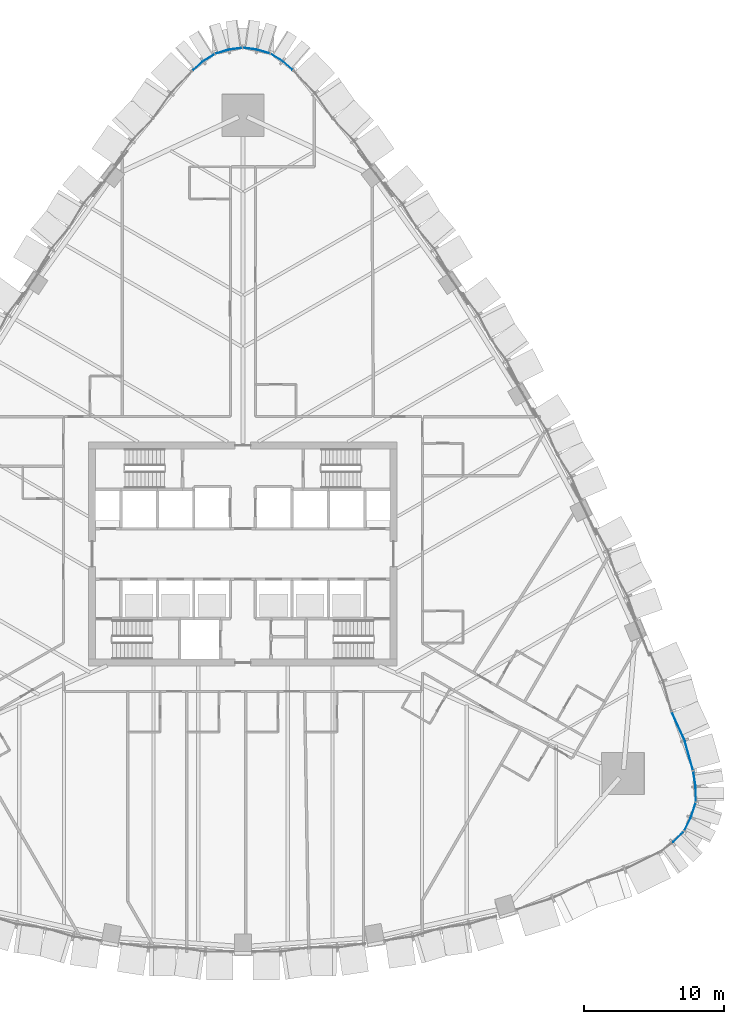
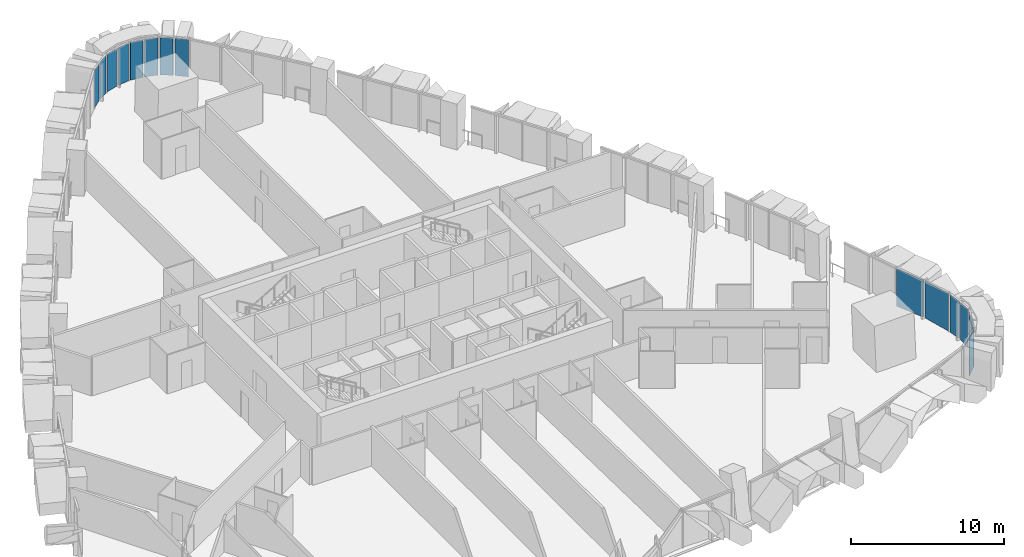
# One storey, part 13 of 23: 15 plates, 8 elements without a shape of their own.
"""IFC4 building model written with IfcOpenShell, lengths in metres."""

from ifc_helpers import new_model, si_unit, direction, frame, origin, place, context, subcontext, project, spatial, polyline, outline, extrude, material, layer, layer_set, type_object, element, aggregate, save


model = new_model("IFC4")

# Units and contexts
model_context = context("Model", 3, precision=1e-05, world=origin(), true_north=direction((0.0, 1.0)))
body_context = subcontext(model_context, "Body", "Model", "MODEL_VIEW")
ifc_project = project(units=[si_unit("LENGTHUNIT", "METRE"), si_unit("AREAUNIT", "SQUARE_METRE"), si_unit("VOLUMEUNIT", "CUBIC_METRE"), si_unit("PLANEANGLEUNIT", "RADIAN"), si_unit("MASSUNIT", "GRAM", prefix="KILO")], contexts=[model_context])

# Site, building, storey
site_placement = place(None, origin())
site = spatial("IfcSite", under=ifc_project, at=site_placement, CompositionType="ELEMENT")
building_placement = place(site_placement, origin())
building = spatial("IfcBuilding", under=site, at=building_placement, Name="Sierra Prisma Convention Tower", CompositionType="ELEMENT")
storey_placement = place(building_placement, frame((0.0, 0.0, 51.699951171875)))
storey = spatial("IfcBuildingStorey", under=building, at=storey_placement, Name="L08", CompositionType="ELEMENT", Elevation=51.699951171875)

# Curtain wall, plate
ifc_material_1 = material(Name="Aluminium and glass curtain wall", Category="aluminium")
ifc_layer_1 = layer(ifc_material_1, 0.179931640625)
ifc_layer_set_1 = layer_set([ifc_layer_1], Name="CW-2 Faceted crystal curtain wall")
curtain_wall_type = type_object("IfcCurtainWallType", Name="CW-2 Faceted crystal curtain wall", PredefinedType="NOTDEFINED", material=ifc_layer_set_1)
curtain_wall_1_placement = place(storey_placement, origin())
curtain_wall_1 = element("IfcCurtainWall", 1, at=curtain_wall_1_placement, inside=storey, type_object=curtain_wall_type, Name="CW-2 SE1 L08", PredefinedType="NOTDEFINED")
ifc_material_2 = material(Name="Tinted glass bronze-grey IGU", Category="glass")
ifc_layer_2 = layer(ifc_material_2, 0.028076171875)
ifc_layer_set_2 = layer_set([ifc_layer_2], Name="CW-2 crystal pane")
plate_type = type_object("IfcPlateType", Name="CW-2 crystal pane", PredefinedType="CURTAIN_PANEL", material=ifc_layer_set_2)
plate_1_placement = place(storey_placement, frame((31.40478515625, -19.843505859375, 0.0), z_axis=(0.707845273304, -0.706367516992, 0.0), x_axis=(-0.706367516992, -0.707845273304, 0.0)))
plate_1 = element("IfcPlate", 2, at=plate_1_placement, type_object=plate_type, Name="CW-2 pane SE1.1.2", PredefinedType="CURTAIN_PANEL", context=body_context, shape_type="SweptSolid", body=[
    extrude(outline(polyline([(0.0, 0.0), (0.9912620493672433, 0.0), (0.9912620493672433, -2.97998046875), (0.0, -2.97998046875), (0.0, 0.0)])), origin(), (0.0, 0.0, -1.0), 0.028076171875),
])
aggregate(curtain_wall_1, [plate_1])

# Curtain wall, plates
curtain_wall_2_placement = place(storey_placement, origin())
curtain_wall_2 = element("IfcCurtainWall", 3, at=curtain_wall_2_placement, inside=storey, type_object=curtain_wall_type, Name="CW-2 SE2 L08", PredefinedType="NOTDEFINED")
plate_2_placement = place(storey_placement, frame((31.484619140625, -19.733154296875, 0.0), z_axis=(0.891651472711, -0.452722488078, 0.0), x_axis=(0.452722488078, 0.891651472711, 0.0)))
plate_2 = element("IfcPlate", 4, at=plate_2_placement, type_object=plate_type, Name="CW-2 pane SE2.1.1", PredefinedType="CURTAIN_PANEL", context=body_context, shape_type="SweptSolid", body=[
    extrude(outline(polyline([(0.0, 0.0), (0.9911821934332878, 0.0), (0.9911821934332878, 2.97998046875), (0.0, 2.97998046875), (0.0, 0.0)])), origin(), (0.0, 0.0, -1.0), 0.028076171875),
])
plate_3_placement = place(storey_placement, frame((32.287841796875, -17.786376953125, 0.0), z_axis=(0.951525092145, -0.307571128388, 0.0), x_axis=(-0.307571128388, -0.951525092145, 0.0)))
plate_3 = element("IfcPlate", 5, at=plate_3_placement, type_object=plate_type, Name="CW-2 pane SE2.1.2", PredefinedType="CURTAIN_PANEL", context=body_context, shape_type="SweptSolid", body=[
    extrude(outline(polyline([(0.0, 0.0), (0.9914182850112484, 0.0), (0.9914182850112484, -2.97998046875), (0.0, -2.97998046875), (0.0, 0.0)])), origin(), (0.0, 0.0, -1.0), 0.028076171875),
])
aggregate(curtain_wall_2, [plate_2, plate_3])

curtain_wall_3_placement = place(storey_placement, origin())
curtain_wall_3 = element("IfcCurtainWall", 6, at=curtain_wall_3_placement, inside=storey, type_object=curtain_wall_type, Name="CW-2 SE3 L08", PredefinedType="NOTDEFINED")
plate_4_placement = place(storey_placement, frame((32.30908203125, -17.652099609375, 0.0), z_axis=(0.999998514409, 0.00172371081, 0.0), x_axis=(-0.00172371081, 0.999998514409, 0.0)))
plate_4 = element("IfcPlate", 7, at=plate_4_placement, type_object=plate_type, Name="CW-2 pane SE3.1.1", PredefinedType="CURTAIN_PANEL", context=body_context, shape_type="SweptSolid", body=[
    extrude(outline(polyline([(0.0, 0.0), (0.991456551023515, 0.0), (0.991456551023515, 2.97998046875), (0.0, 2.97998046875), (0.0, 0.0)])), origin(), (0.0, 0.0, -1.0), 0.028076171875),
])
plate_5_placement = place(storey_placement, frame((32.140380859375, -15.552734375, 0.0), z_axis=(0.98745753367, 0.157884828906, 0.0), x_axis=(0.157884828906, -0.98745753367, 0.0)))
plate_5 = element("IfcPlate", 8, at=plate_5_placement, type_object=plate_type, Name="CW-2 pane SE3.1.2", PredefinedType="CURTAIN_PANEL", context=body_context, shape_type="SweptSolid", body=[
    extrude(outline(polyline([(0.0, 0.0), (0.9911917548367027, 0.0), (0.9911917548367027, -2.97998046875), (0.0, -2.97998046875), (0.0, 0.0)])), origin(), (0.0, 0.0, -1.0), 0.028076171875),
])
aggregate(curtain_wall_3, [plate_4, plate_5])

curtain_wall_4_placement = place(storey_placement, origin())
curtain_wall_4 = element("IfcCurtainWall", 9, at=curtain_wall_4_placement, inside=storey, type_object=curtain_wall_type, Name="CW-2 NE1 L08", PredefinedType="NOTDEFINED")
plate_6_placement = place(storey_placement, frame((32.110595703125, -15.417236328125, 0.0), z_axis=(0.963438269611, 0.267930402623, 0.0), x_axis=(-0.267930402623, 0.963438269611, 0.0)))
plate_6 = element("IfcPlate", 10, at=plate_6_placement, type_object=plate_type, Name="CW-2 pane NE1.1.1", PredefinedType="CURTAIN_PANEL", context=body_context, shape_type="SweptSolid", body=[
    extrude(outline(polyline([(0.0, 0.0), (2.1531871382518215, 0.0), (2.1531871382518215, 2.97998046875), (0.0, 2.97998046875), (0.0, 0.0)])), origin(), (0.0, 0.0, -1.0), 0.028076171875),
])
plate_7_placement = place(storey_placement, frame((30.59521484375, -11.26220703125, 0.0), z_axis=(0.909674035522, 0.415322945546, 0.0), x_axis=(0.415322945546, -0.909674035522, 0.0)))
plate_7 = element("IfcPlate", 11, at=plate_7_placement, type_object=plate_type, Name="CW-2 pane NE1.1.2", PredefinedType="CURTAIN_PANEL", context=body_context, shape_type="SweptSolid", body=[
    extrude(outline(polyline([(0.0, 0.0), (2.153233089972779, 0.0), (2.153233089972779, -2.97998046875), (0.0, -2.97998046875), (0.0, 0.0)])), origin(), (0.0, 0.0, -1.0), 0.028076171875),
])
aggregate(curtain_wall_4, [plate_6, plate_7])

curtain_wall_5_placement = place(storey_placement, origin())
curtain_wall_5 = element("IfcCurtainWall", 12, at=curtain_wall_5_placement, inside=storey, type_object=curtain_wall_type, Name="CW-2 N1 L08", PredefinedType="NOTDEFINED")
plate_8_placement = place(storey_placement, frame((3.553955078125, 34.541015625, 0.0), z_axis=(0.656226719983, 0.754563775953, 0.0), x_axis=(-0.754563775953, 0.656226719983, 0.0)))
plate_8 = element("IfcPlate", 13, at=plate_8_placement, type_object=plate_type, Name="CW-2 pane N1.1.1", PredefinedType="CURTAIN_PANEL", context=body_context, shape_type="SweptSolid", body=[
    extrude(outline(polyline([(0.0, 0.0), (0.8813556702479313, 0.0), (0.8813556702479313, 2.9799804687500004), (0.0, 2.9799804687500004), (0.0, 0.0)])), origin(), (0.0, 0.0, -1.0), 0.028076171875),
])
plate_9_placement = place(storey_placement, frame((2.03759765625, 35.66357421875, 0.0), z_axis=(0.530173219372, 0.847889354492, 0.0), x_axis=(0.847889354492, -0.530173219372, 0.0)))
plate_9 = element("IfcPlate", 14, at=plate_9_placement, type_object=plate_type, Name="CW-2 pane N1.1.2", PredefinedType="CURTAIN_PANEL", context=body_context, shape_type="SweptSolid", body=[
    extrude(outline(polyline([(0.0, 0.0), (0.8813820449164511, 0.0), (0.8813820449164511, -2.97998046875), (0.0, -2.97998046875), (0.0, 0.0)])), origin(), (0.0, 0.0, -1.0), 0.028076171875),
])
aggregate(curtain_wall_5, [plate_8, plate_9])

curtain_wall_6_placement = place(storey_placement, origin())
curtain_wall_6 = element("IfcCurtainWall", 15, at=curtain_wall_6_placement, inside=storey, type_object=curtain_wall_type, Name="CW-2 N2 L08", PredefinedType="NOTDEFINED")
plate_10_placement = place(storey_placement, frame((1.912841796875, 35.719970703125, 0.0), z_axis=(0.286737827926, 0.95800909079, 0.0), x_axis=(-0.95800909079, 0.286737827926, 0.0)))
plate_10 = element("IfcPlate", 16, at=plate_10_placement, type_object=plate_type, Name="CW-2 pane N2.1.1", PredefinedType="CURTAIN_PANEL", context=body_context, shape_type="SweptSolid", body=[
    extrude(outline(polyline([(0.0, 0.0), (0.8812424530896545, 0.0), (0.8812424530896545, 2.97998046875), (0.0, 2.97998046875), (0.0, 0.0)])), origin(), (0.0, 0.0, -1.0), 0.028076171875),
])
plate_11_placement = place(storey_placement, frame((0.068359375, 36.11767578125, 0.0), z_axis=(0.133506184014, 0.991047980085, 0.0), x_axis=(0.991047980085, -0.133506184014, 0.0)))
plate_11 = element("IfcPlate", 17, at=plate_11_placement, type_object=plate_type, Name="CW-2 pane N2.1.2", PredefinedType="CURTAIN_PANEL", context=body_context, shape_type="SweptSolid", body=[
    extrude(outline(polyline([(0.0, 0.0), (0.8814256966401138, 0.0), (0.8814256966401138, -2.97998046875), (0.0, -2.97998046875), (0.0, 0.0)])), origin(), (0.0, 0.0, -1.0), 0.028076171875),
])
aggregate(curtain_wall_6, [plate_10, plate_11])

curtain_wall_7_placement = place(storey_placement, origin())
curtain_wall_7 = element("IfcCurtainWall", 18, at=curtain_wall_7_placement, inside=storey, type_object=curtain_wall_type, Name="CW-2 N3 L08", PredefinedType="NOTDEFINED")
plate_12_placement = place(storey_placement, frame((-0.068359375, 36.11767578125, 0.0), z_axis=(-0.133506184014, 0.991047980085, 0.0), x_axis=(-0.991047980085, -0.133506184014, 0.0)))
plate_12 = element("IfcPlate", 19, at=plate_12_placement, type_object=plate_type, Name="CW-2 pane N3.1.1", PredefinedType="CURTAIN_PANEL", context=body_context, shape_type="SweptSolid", body=[
    extrude(outline(polyline([(0.0, 0.0), (0.8814256966401138, 0.0), (0.8814256966401138, 2.97998046875), (0.0, 2.97998046875), (0.0, 0.0)])), origin(), (0.0, 0.0, -1.0), 0.028076171875),
])
plate_13_placement = place(storey_placement, frame((-1.912841796875, 35.719970703125, 0.0), z_axis=(-0.286737827926, 0.95800909079, 0.0), x_axis=(0.95800909079, 0.286737827926, 0.0)))
plate_13 = element("IfcPlate", 20, at=plate_13_placement, type_object=plate_type, Name="CW-2 pane N3.1.2", PredefinedType="CURTAIN_PANEL", context=body_context, shape_type="SweptSolid", body=[
    extrude(outline(polyline([(0.0, 0.0), (0.8812424530896545, 0.0), (0.8812424530896545, -2.97998046875), (0.0, -2.97998046875), (0.0, 0.0)])), origin(), (0.0, 0.0, -1.0), 0.028076171875),
])
aggregate(curtain_wall_7, [plate_12, plate_13])

curtain_wall_8_placement = place(storey_placement, origin())
curtain_wall_8 = element("IfcCurtainWall", 21, at=curtain_wall_8_placement, inside=storey, type_object=curtain_wall_type, Name="CW-2 N4 L08", PredefinedType="NOTDEFINED")
plate_14_placement = place(storey_placement, frame((-2.03759765625, 35.66357421875, 0.0), z_axis=(-0.530173219372, 0.847889354492, 0.0), x_axis=(-0.847889354492, -0.530173219372, 0.0)))
plate_14 = element("IfcPlate", 22, at=plate_14_placement, type_object=plate_type, Name="CW-2 pane N4.1.1", PredefinedType="CURTAIN_PANEL", context=body_context, shape_type="SweptSolid", body=[
    extrude(outline(polyline([(0.0, 0.0), (0.8813820449164511, 0.0), (0.8813820449164511, 2.97998046875), (0.0, 2.97998046875), (0.0, 0.0)])), origin(), (0.0, 0.0, -1.0), 0.028076171875),
])
plate_15_placement = place(storey_placement, frame((-3.553955078125, 34.541015625, 0.0), z_axis=(-0.656226719983, 0.754563775953, 0.0), x_axis=(0.754563775953, 0.656226719983, 0.0)))
plate_15 = element("IfcPlate", 23, at=plate_15_placement, type_object=plate_type, Name="CW-2 pane N4.1.2", PredefinedType="CURTAIN_PANEL", context=body_context, shape_type="SweptSolid", body=[
    extrude(outline(polyline([(0.0, 0.0), (0.8813556702479313, 0.0), (0.8813556702479313, -2.9799804687500004), (0.0, -2.9799804687500004), (0.0, 0.0)])), origin(), (0.0, 0.0, -1.0), 0.028076171875),
])
aggregate(curtain_wall_8, [plate_14, plate_15])

save(model, "model.ifc")
